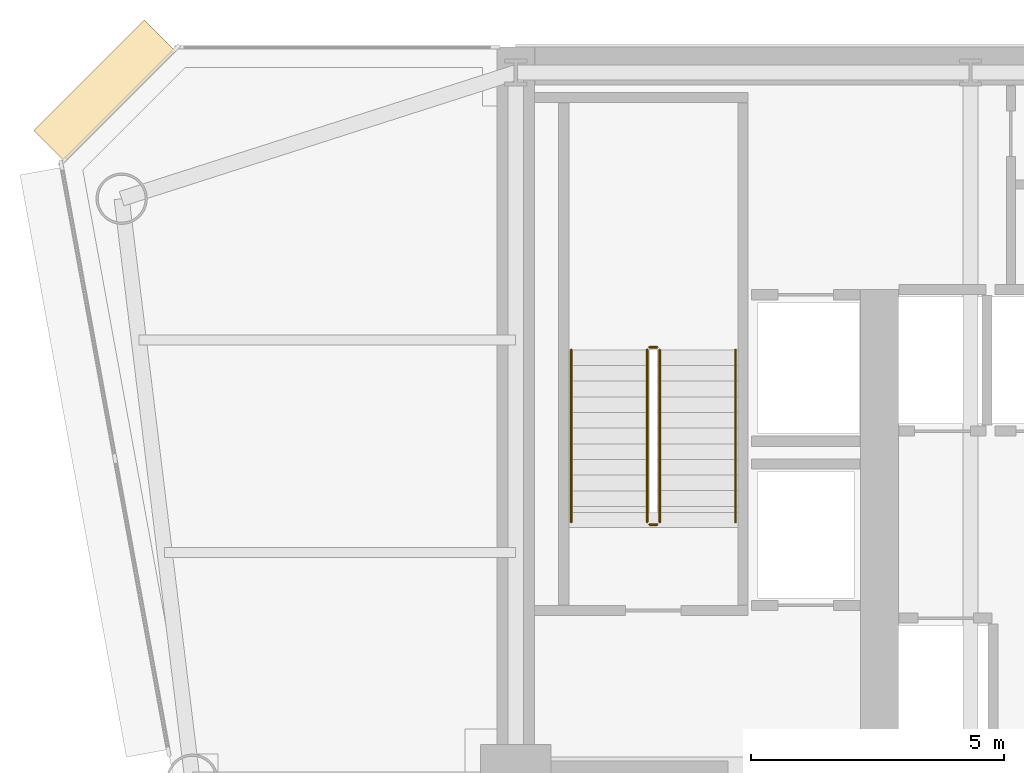
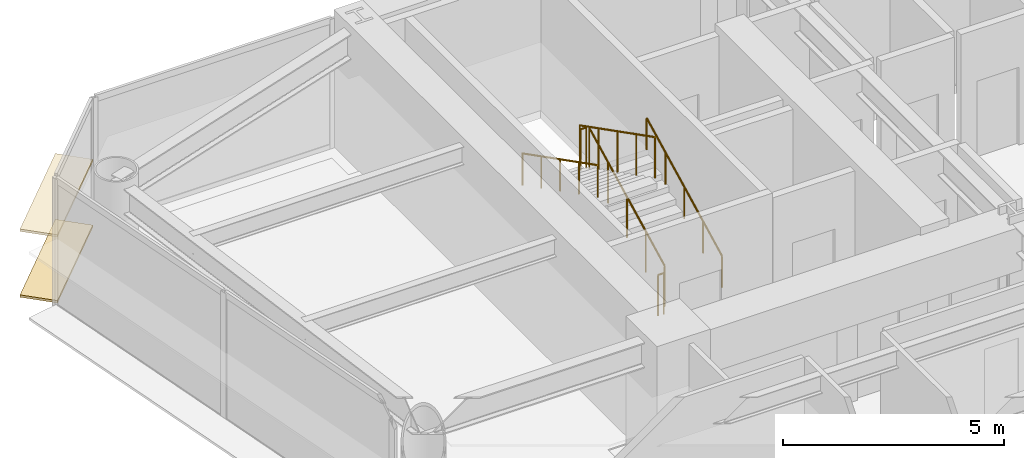
# One storey, part 12 of 14: 6 railings, 2 coverings.
"""IFC4 building model written with IfcOpenShell, lengths in metres."""

from ifc_helpers import new_model, si_unit, direction, frame, origin, origin_2d, place, context, subcontext, project, spatial, rectangle, circle, extrude, source, transform, mapped, material, layer, layer_set, type_object, element, save


model = new_model("IFC4")

# Units and contexts
model_context = context("Model", 3, precision=1e-05, world=origin(), true_north=direction((0.0, 1.0)))
body_context = subcontext(model_context, "Body", "Model", "MODEL_VIEW")
ifc_project = project(units=[si_unit("LENGTHUNIT", "METRE"), si_unit("AREAUNIT", "SQUARE_METRE"), si_unit("VOLUMEUNIT", "CUBIC_METRE"), si_unit("PLANEANGLEUNIT", "RADIAN"), si_unit("MASSUNIT", "GRAM", prefix="KILO")], contexts=[model_context])

# Site, building, storey
site_placement = place(None, origin())
site = spatial("IfcSite", under=ifc_project, at=site_placement, CompositionType="ELEMENT")
building_placement = place(site_placement, origin())
building = spatial("IfcBuilding", under=site, at=building_placement, Name="Vaeldorn Concourse Tower", CompositionType="ELEMENT")
storey_placement = place(building_placement, frame((0.0, 0.0, 92.0)))
storey = spatial("IfcBuildingStorey", under=building, at=storey_placement, Name="L23", CompositionType="ELEMENT", Elevation=92.0)

# Railings
ifc_material = material(Name="Anodised Bronze Aluminium", Category="aluminium")
railing_type_1 = type_object("IfcRailingType", Name="RL-STAIR-GUARD", PredefinedType="GUARDRAIL", material=ifc_material)
railing_1_placement = place(storey_placement, frame((16.85009765625, 41.60009765625, 0.158447265625)))
element("IfcRailing", 1, at=railing_1_placement, inside=storey, type_object=railing_type_1, Name="L23 ST-1 stair guard 1", PredefinedType="GUARDRAIL", context=body_context, shape_type="SweptSolid", body=[
    extrude(circle(Radius=0.02392578125, at=origin_2d()), frame((0.0, 0.0, 1.1259765625), z_axis=(0.0, 0.890581635807, 0.454823427236), x_axis=(-1.0, 0.0, 0.0)), (0.0, 0.0, 1.0), 3.828857421875),
    extrude(circle(Radius=0.02099609375, at=origin_2d()), origin(), (0.0, 0.0, 1.0), 1.101806640625),
    extrude(circle(Radius=0.02099609375, at=origin_2d()), frame((0.0, 0.8525390625, 0.435302734375)), (0.0, 0.0, 1.0), 1.101806640625),
    extrude(circle(Radius=0.02099609375, at=origin_2d()), frame((0.0, 1.705078125, 0.87060546875)), (0.0, 0.0, 1.0), 1.101806640625),
    extrude(circle(Radius=0.02099609375, at=origin_2d()), frame((0.0, 2.557373046875, 1.30615234375)), (0.0, 0.0, 1.0), 1.101806640625),
    extrude(circle(Radius=0.02099609375, at=origin_2d()), frame((0.0, 3.409912109375, 1.741455078125)), (0.0, 0.0, 1.0), 1.101806640625),
])
railing_2_placement = place(storey_placement, frame((16.800048828125, 45.06005859375, 1.89990234375)))
element("IfcRailing", 2, at=railing_2_placement, inside=storey, type_object=railing_type_1, Name="L23 ST-1 stair guard 2", PredefinedType="GUARDRAIL", context=body_context, shape_type="SweptSolid", body=[
    extrude(circle(Radius=0.02392578125, at=origin_2d()), frame((0.0, 0.0, 1.1259765625), z_axis=(-1.0, 0.0, 0.0), x_axis=(0.0, -1.0, 0.0)), (0.0, 0.0, 1.0), 0.150146484375),
    extrude(circle(Radius=0.02099609375, at=origin_2d()), origin(), (0.0, 0.0, 1.0), 1.101806640625),
    extrude(circle(Radius=0.02099609375, at=origin_2d()), frame((-0.150146484375, 0.0, 0.0)), (0.0, 0.0, 1.0), 1.101806640625),
])
railing_3_placement = place(storey_placement, frame((16.60009765625, 45.010009765625, 2.058349609375)))
element("IfcRailing", 3, at=railing_3_placement, inside=storey, type_object=railing_type_1, Name="L23 ST-1 stair guard 3", PredefinedType="GUARDRAIL", context=body_context, shape_type="SweptSolid", body=[
    extrude(circle(Radius=0.02392578125, at=origin_2d()), frame((0.0, 0.0, 1.1259765625), z_axis=(0.0, -0.890555807335, 0.454873997962), x_axis=(1.0, 0.0, 0.0)), (0.0, 0.0, 1.0), 3.828857421875),
    extrude(circle(Radius=0.02099609375, at=origin_2d()), origin(), (0.0, 0.0, 1.0), 1.101806640625),
    extrude(circle(Radius=0.02099609375, at=origin_2d()), frame((0.0, -0.8525390625, 0.435546875)), (0.0, 0.0, 1.0), 1.101806640625),
    extrude(circle(Radius=0.02099609375, at=origin_2d()), frame((0.0, -1.705078125, 0.870849609375)), (0.0, 0.0, 1.0), 1.101806640625),
    extrude(circle(Radius=0.02099609375, at=origin_2d()), frame((0.0, -2.557373046875, 1.30615234375)), (0.0, 0.0, 1.0), 1.101806640625),
    extrude(circle(Radius=0.02099609375, at=origin_2d()), frame((0.0, -3.409912109375, 1.74169921875)), (0.0, 0.0, 1.0), 1.101806640625),
])
railing_4_placement = place(storey_placement, frame((16.800048828125, 41.550048828125, 0.0)))
element("IfcRailing", 4, at=railing_4_placement, inside=storey, type_object=railing_type_1, Name="L23 ST-1 stair guard 4", PredefinedType="GUARDRAIL", context=body_context, shape_type="SweptSolid", body=[
    extrude(circle(Radius=0.02392578125, at=origin_2d()), frame((0.0, 0.0, 1.1259765625), z_axis=(-1.0, 0.0, 0.0), x_axis=(0.0, -1.0, 0.0)), (0.0, 0.0, 1.0), 0.150146484375),
    extrude(circle(Radius=0.02099609375, at=origin_2d()), origin(), (0.0, 0.0, 1.0), 1.101806640625),
    extrude(circle(Radius=0.02099609375, at=origin_2d()), frame((-0.150146484375, 0.0, 0.0)), (0.0, 0.0, 1.0), 1.101806640625),
])
railing_type_2 = type_object("IfcRailingType", Name="RL-STAIR-HANDRAIL", PredefinedType="HANDRAIL", material=ifc_material)
railing_5_placement = place(storey_placement, frame((18.35009765625, 41.60009765625, 0.158447265625)))
element("IfcRailing", 5, at=railing_5_placement, inside=storey, type_object=railing_type_2, Name="L23 ST-1 stair handrail 1", PredefinedType="HANDRAIL", context=body_context, shape_type="SweptSolid", body=[
    extrude(circle(Radius=0.02392578125, at=origin_2d()), frame((0.0, 0.0, 0.8759765625), z_axis=(0.0, 0.890581635807, 0.454823427236), x_axis=(-1.0, 0.0, 0.0)), (0.0, 0.0, 1.0), 3.828857421875),
    extrude(circle(Radius=0.02099609375, at=origin_2d()), origin(), (0.0, 0.0, 1.0), 0.851806640625),
    extrude(circle(Radius=0.02099609375, at=origin_2d()), frame((0.0, 0.8525390625, 0.435302734375)), (0.0, 0.0, 1.0), 0.851806640625),
    extrude(circle(Radius=0.02099609375, at=origin_2d()), frame((0.0, 1.705078125, 0.87060546875)), (0.0, 0.0, 1.0), 0.851806640625),
    extrude(circle(Radius=0.02099609375, at=origin_2d()), frame((0.0, 2.557373046875, 1.30615234375)), (0.0, 0.0, 1.0), 0.851806640625),
    extrude(circle(Radius=0.02099609375, at=origin_2d()), frame((0.0, 3.409912109375, 1.741455078125)), (0.0, 0.0, 1.0), 0.851806640625),
])
railing_6_placement = place(storey_placement, frame((15.10009765625, 45.010009765625, 2.058349609375)))
element("IfcRailing", 6, at=railing_6_placement, inside=storey, type_object=railing_type_2, Name="L23 ST-1 stair handrail 2", PredefinedType="HANDRAIL", context=body_context, shape_type="SweptSolid", body=[
    extrude(circle(Radius=0.02392578125, at=origin_2d()), frame((0.0, 0.0, 0.8759765625), z_axis=(0.0, -0.890555807335, 0.454873997962), x_axis=(1.0, 0.0, 0.0)), (0.0, 0.0, 1.0), 3.828857421875),
    extrude(circle(Radius=0.02099609375, at=origin_2d()), origin(), (0.0, 0.0, 1.0), 0.851806640625),
    extrude(circle(Radius=0.02099609375, at=origin_2d()), frame((0.0, -0.8525390625, 0.435546875)), (0.0, 0.0, 1.0), 0.851806640625),
    extrude(circle(Radius=0.02099609375, at=origin_2d()), frame((0.0, -1.705078125, 0.870849609375)), (0.0, 0.0, 1.0), 0.851806640625),
    extrude(circle(Radius=0.02099609375, at=origin_2d()), frame((0.0, -2.557373046875, 1.30615234375)), (0.0, 0.0, 1.0), 0.851806640625),
    extrude(circle(Radius=0.02099609375, at=origin_2d()), frame((0.0, -3.409912109375, 1.74169921875)), (0.0, 0.0, 1.0), 0.851806640625),
])

# Coverings
ifc_layer = layer(ifc_material, 0.06494140625)
ifc_layer_set = layer_set([ifc_layer], Name="Anodised Bronze Aluminium")
covering_type = type_object("IfcCoveringType", Name="SD-BRONZE-SUNSHADE", PredefinedType="USERDEFINED", material=ifc_layer_set)
shared_shape = source(origin(), body_context, "Body", "SweptSolid", [
    extrude(rectangle(XDim=3.0927734375, YDim=0.8798828125, at=origin_2d()), origin(), (0.0, 0.0, 1.0), 0.06494140625),
])
for number, where, z_axis, x_axis, name in (
    (7, (5.8671875, 50.1328125, 0.047607421875), (0.0, 0.0, 1.0), (-0.707106781187, -0.707106781187, 0.0), "Horizontal Bronze Sunshade L23-E10.1.1"),
    (8, (5.8671875, 50.1328125, 1.867431640625), (0.0, 0.0, 1.0), (-0.707106781187, -0.707106781187, 0.0), "Horizontal Bronze Sunshade L23-E10.1.2"),
):
    element("IfcCovering", number, at=place(storey_placement, frame(where, z_axis=z_axis, x_axis=x_axis)), inside=storey, type_object=covering_type, Name=name, ObjectType="SUNSHADE", PredefinedType="USERDEFINED", context=body_context, shape_type="MappedRepresentation", body=[
        mapped(shared_shape, transform((0.0, 0.0, 0.0), scale=1.0)),
    ])

save(model, "model.ifc")
